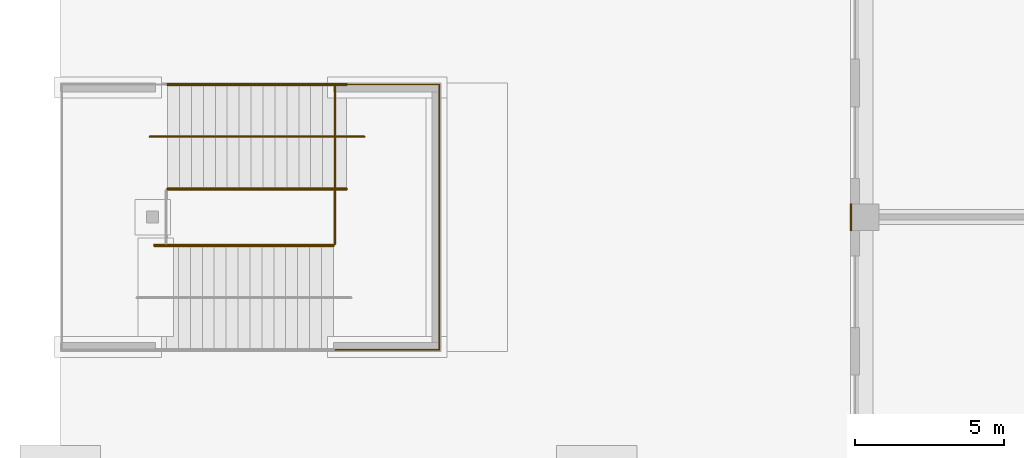
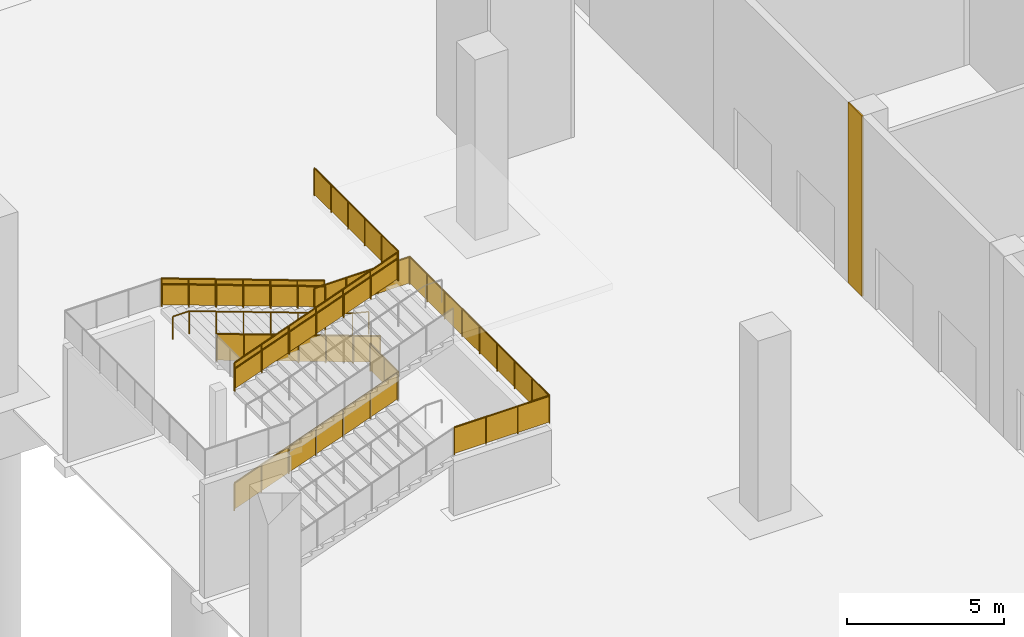
# One storey, part 64 of 92: 11 railings, 1 covering.
"""IFC4 building model written with IfcOpenShell, lengths in metres."""

import ifcopenshell
import ifcopenshell.guid

model = None  # the IFC model being written
_history = None  # IfcOwnerHistory: only IFC2X3 demands one
_inside = {}  # id of a spatial element -> (the spatial element, [elements in it])
_under = {}  # id of a project, library or spatial element -> (it, [spatial elements below it])
_declared = {}  # id of a project -> (the project, [libraries it declares])
_typed = {}  # id of a type object -> (the type object, [elements of that type])
_made_of = {}  # id of a material, layer set ... -> (it, [elements and type objects made of it])


def new_model(schema):
    """Start an empty IFC model of exactly this schema.

    Asked for "IFC4X3", IfcOpenShell would pick the latest addendum, in which some entities
    have other attributes; the version numbers below select the first issue.
    IFC2X3 requires an IfcOwnerHistory on every rooted entity: one is made here for all.
    """
    global model, _history
    if schema == "IFC4X3":
        model = ifcopenshell.file(schema_version=(4, 3, 0, 0))
    else:
        model = ifcopenshell.file(schema=schema)
    _inside.clear()
    _under.clear()
    _declared.clear()
    _typed.clear()
    _made_of.clear()
    _history = None
    if model.schema == "IFC2X3":
        org = make("IfcOrganization", Name="unknown")
        user = make(
            "IfcPersonAndOrganization",
            ThePerson=make("IfcPerson", FamilyName="unknown"),
            TheOrganization=org,
        )
        app = make(
            "IfcApplication",
            ApplicationDeveloper=org,
            Version="unknown",
            ApplicationFullName="unknown",
            ApplicationIdentifier="unknown",
        )
        _history = make(
            "IfcOwnerHistory",
            OwningUser=user,
            OwningApplication=app,
            ChangeAction="ADDED",
            CreationDate=0,
        )
    return model


def make(cls, **values):
    """One entity of the class cls with the attributes given. An attribute that is None is left unset."""
    return model.create_entity(
        cls, **{name: value for name, value in values.items() if value is not None}
    )


def rooted(cls, **values):
    """An entity with a GlobalId (a new one), such as an element, a storey or a relation."""
    return make(cls, GlobalId=ifcopenshell.guid.new(), OwnerHistory=_history, **values)


def si_unit(unit_type, name, prefix=None):
    """IfcSIUnit, for example si_unit("LENGTHUNIT", "METRE", prefix="MILLI")."""
    return make("IfcSIUnit", UnitType=unit_type, Prefix=prefix, Name=name)


def assignment(units):
    """IfcUnitAssignment: the units of a project."""
    return None if units is None else make("IfcUnitAssignment", Units=units)


def point(xyz):
    """IfcCartesianPoint."""
    return None if xyz is None else make("IfcCartesianPoint", Coordinates=xyz)


def direction(xyz):
    """IfcDirection."""
    return None if xyz is None else make("IfcDirection", DirectionRatios=xyz)


def frame(location, z_axis=None, x_axis=None):
    """IfcAxis2Placement3D, a coordinate frame: its origin and axes. An axis left out is left unset."""
    return make(
        "IfcAxis2Placement3D",
        Location=point(location),
        Axis=direction(z_axis),
        RefDirection=direction(x_axis),
    )


def frame_2d(location, x_axis=None):
    """IfcAxis2Placement2D, a coordinate frame in the plane: its origin and x axis."""
    return make(
        "IfcAxis2Placement2D", Location=point(location), RefDirection=direction(x_axis)
    )


def origin():
    """The frame at (0, 0, 0) with its axes left unset."""
    return frame((0.0, 0.0, 0.0))


def origin_2d():
    """The frame at (0, 0) in the plane with its x axis left unset."""
    return frame_2d((0.0, 0.0))


def place(relative_to, where):
    """IfcLocalPlacement: puts the frame where relative to a parent placement (None: the world)."""
    return make(
        "IfcLocalPlacement", PlacementRelTo=relative_to, RelativePlacement=where
    )


def context(
    kind, dimensions, precision=None, world=None, true_north=None, identifier=None
):
    """IfcGeometricRepresentationContext, for example the 3D "Model" context."""
    return make(
        "IfcGeometricRepresentationContext",
        ContextIdentifier=identifier,
        ContextType=kind,
        CoordinateSpaceDimension=dimensions,
        Precision=precision,
        WorldCoordinateSystem=world,
        TrueNorth=true_north,
    )


def subcontext(parent, identifier, kind, view, scale=None):
    """IfcGeometricRepresentationSubContext, for example "Body" below "Model"."""
    return make(
        "IfcGeometricRepresentationSubContext",
        ContextIdentifier=identifier,
        ContextType=kind,
        ParentContext=parent,
        TargetScale=scale,
        TargetView=view,
    )


def project(units=None, contexts=None):
    """IfcProject with its units and contexts."""
    return rooted(
        "IfcProject",
        Name="project",
        RepresentationContexts=contexts,
        UnitsInContext=assignment(units),
    )


def spatial(cls, under=None, at=None, **own):
    """A site, building, storey or space (cls), placed at a placement, below another one or the project."""
    s = rooted(cls, ObjectPlacement=at, **own)
    if under is not None:
        _under.setdefault(under.id(), (under, []))[1].append(s)
    return s


def polyline(points):
    """IfcPolyline through the points."""
    return make("IfcPolyline", Points=[point(p) for p in points])


def profile(cls, at=None, kind="AREA", **sizes):
    """A parametric profile (cls). Its sizes go by their IFC names, for example OverallWidth=200.0."""
    return make(cls, ProfileType=kind, Position=at, **sizes)


def circle(**sizes):
    """IfcCircleProfileDef."""
    return profile("IfcCircleProfileDef", **sizes)


def outline(outer, holes=None, kind="AREA"):
    """IfcArbitraryClosedProfileDef: a profile drawn as a closed curve; with holes, ...WithVoids."""
    if holes is None:
        return make("IfcArbitraryClosedProfileDef", ProfileType=kind, OuterCurve=outer)
    return make(
        "IfcArbitraryProfileDefWithVoids",
        ProfileType=kind,
        OuterCurve=outer,
        InnerCurves=holes,
    )


def extrude(swept, where, along, depth):
    """IfcExtrudedAreaSolid: the profile swept, set in the frame where, extruded along a direction by depth."""
    return make(
        "IfcExtrudedAreaSolid",
        SweptArea=swept,
        Position=where,
        ExtrudedDirection=direction(along),
        Depth=depth,
    )


def shape(context_of_items, identifier, shape_type, items):
    """IfcShapeRepresentation: the items that make up one representation, for example the "Body"."""
    return make(
        "IfcShapeRepresentation",
        ContextOfItems=context_of_items,
        RepresentationIdentifier=identifier,
        RepresentationType=shape_type,
        Items=items,
    )


def material(Name=None, Category=None):
    """IfcMaterial."""
    return make("IfcMaterial", Name=Name, Category=Category)


def layer(
    of_material, thickness, ventilated=None, Name=None, Category=None, Priority=None
):
    """IfcMaterialLayer: one layer of a wall or slab, of a material (None: an air gap)."""
    return make(
        "IfcMaterialLayer",
        Material=of_material,
        LayerThickness=thickness,
        IsVentilated=ventilated,
        Name=Name,
        Category=Category,
        Priority=Priority,
    )


def layer_set(layers, Name=None):
    """IfcMaterialLayerSet."""
    return make("IfcMaterialLayerSet", MaterialLayers=layers, LayerSetName=Name)


def made_of(thing, what):
    """Note that an element or type object is made of a material, layer set ...; save() writes the relation."""
    if what is not None:
        _made_of.setdefault(what.id(), (what, []))[1].append(thing)
    return thing


def type_object(cls, material=None, **own):
    """A type object (cls), such as IfcWallType, which elements share."""
    return made_of(rooted(cls, **own), material)


def element(
    cls,
    number,
    at=None,
    inside=None,
    cuts=None,
    type_object=None,
    material=None,
    context=None,
    identifier="Body",
    shape_type=None,
    held_by="IfcProductDefinitionShape",
    body=None,
    shapes=None,
    **own,
):
    """One element of the class cls, such as IfcWall. Its Tag is "e" and its number.

    at: its placement. inside: the storey or other place that contains it. cuts: it is an
    opening in that element (IfcRelVoidsElement). A single representation is given by context,
    identifier, shape_type and body (its items); several are given by shapes. held_by: the class
    of the entity that holds the representations. save() writes the other relations.
    """
    e = rooted(cls, Tag="e%d" % number, ObjectPlacement=at, **own)
    if body is not None:
        shapes = [shape(context, identifier, shape_type, body)]
    if shapes is not None:
        e.Representation = make(held_by, Representations=shapes)
    if inside is not None:
        _inside.setdefault(inside.id(), (inside, []))[1].append(e)
    if cuts is not None:
        rooted(
            "IfcRelVoidsElement", RelatingBuildingElement=cuts, RelatedOpeningElement=e
        )
    if type_object is not None:
        _typed.setdefault(type_object.id(), (type_object, []))[1].append(e)
    return made_of(e, material)


def aggregate(whole, parts):
    """IfcRelAggregates: a whole, such as a stair, and the parts it consists of."""
    return rooted("IfcRelAggregates", RelatingObject=whole, RelatedObjects=parts)


def save(model, path):
    """Write the relations noted so far, then the file.

    IfcRelAggregates (storeys below a building ...), IfcRelContainedInSpatialStructure (elements
    in a storey), IfcRelDefinesByType, IfcRelAssociatesMaterial and IfcRelDeclares: one each for
    every whole, place, type object, material and project.
    """
    for whole, parts in _under.values():
        aggregate(whole, parts)
    for where, things in _inside.values():
        rooted(
            "IfcRelContainedInSpatialStructure",
            RelatedElements=things,
            RelatingStructure=where,
        )
    for kind, things in _typed.values():
        rooted("IfcRelDefinesByType", RelatedObjects=things, RelatingType=kind)
    for what, things in _made_of.values():
        rooted("IfcRelAssociatesMaterial", RelatedObjects=things, RelatingMaterial=what)
    for by, libraries in _declared.values():
        rooted("IfcRelDeclares", RelatingContext=by, RelatedDefinitions=libraries)
    model.write(path)


model = new_model("IFC4")

# Units and contexts
model_context = context("Model", 3, precision=1e-05, world=origin(), true_north=direction((0.0, 1.0)))
body_context = subcontext(model_context, "Body", "Model", "MODEL_VIEW")
ifc_project = project(units=[si_unit("LENGTHUNIT", "METRE"), si_unit("AREAUNIT", "SQUARE_METRE"), si_unit("VOLUMEUNIT", "CUBIC_METRE"), si_unit("PLANEANGLEUNIT", "RADIAN"), si_unit("MASSUNIT", "GRAM", prefix="KILO")], contexts=[model_context])

# Site, building, storey
site_placement = place(None, origin())
site = spatial("IfcSite", under=ifc_project, at=site_placement, CompositionType="ELEMENT")
building_placement = place(site_placement, origin())
building = spatial("IfcBuilding", under=site, at=building_placement, Name="Silverbay Arena", CompositionType="ELEMENT")
storey_placement = place(building_placement, origin())
storey = spatial("IfcBuildingStorey", under=building, at=storey_placement, Name="L00", CompositionType="ELEMENT", Elevation=0.0)

# Covering
ifc_material_1 = material(Name="Aluminium composite cladding", Category="aluminium")
ifc_layer = layer(ifc_material_1, 0.050048828125)
ifc_layer_set = layer_set([ifc_layer], Name="Aluminium composite cladding")
covering_type = type_object("IfcCoveringType", Name="Column cladding 50", PredefinedType="CLADDING", material=ifc_layer_set)
covering_placement = place(storey_placement, origin())
element("IfcCovering", 1, at=covering_placement, inside=storey, type_object=covering_type, Name="West column cladding L00 37", PredefinedType="CLADDING", context=body_context, shape_type="SweptSolid", body=[
    extrude(outline(polyline([(26.5, 116.550048828125), (26.550048828125, 116.550048828125), (26.550048828125, 117.449951171875), (26.5, 117.449951171875), (26.5, 116.550048828125)])), origin(), (0.0, 0.0, 1.0), 7.0),
])

# Railings
ifc_material_2 = material(Name="Stainless steel", Category="steel")
railing_type_1 = type_object("IfcRailingType", Name="Stair guard 1100", PredefinedType="GUARDRAIL", material=ifc_material_2)
railing_1_placement = place(storey_placement, frame((3.162109375, 116.074951171875, 0.145751953125)))
element("IfcRailing", 2, at=railing_1_placement, inside=storey, type_object=railing_type_1, Name="Deck stair DS2 flight 1 guard right", PredefinedType="GUARDRAIL", context=body_context, shape_type="SweptSolid", body=[
    extrude(circle(Radius=0.02392578125, at=origin_2d()), frame((0.0, 0.0, 1.076171875), z_axis=(0.939507356738, 0.0, 0.342528723811), x_axis=(0.0, 1.0, 0.0)), (0.0, 0.0, 1.0), 6.38623046875),
    extrude(outline(polyline([(-0.008056640625, 0.047119140625), (1.008056640625, 0.41748046875), (1.008056640625, 1.42041015625), (-0.008056640625, 1.050048828125), (-0.008056640625, 0.047119140625)])), frame((0.0, 0.0029296875, 0.0), z_axis=(0.0, -1.0, 0.0), x_axis=(1.0, 0.0, 0.0)), (0.0, 0.0, 1.0), 0.006103515625),
    extrude(outline(polyline([(-0.008056640625, 0.41162109375), (1.008056640625, 0.781982421875), (1.008056640625, 1.78515625), (-0.008056640625, 1.41455078125), (-0.008056640625, 0.41162109375)])), frame((1.0, 0.0029296875, 0.0), z_axis=(0.0, -1.0, 0.0), x_axis=(1.0, 0.0, 0.0)), (0.0, 0.0, 1.0), 0.006103515625),
    extrude(outline(polyline([(-0.008056640625, 0.7763671875), (1.008056640625, 1.146728515625), (1.008056640625, 2.149658203125), (-0.008056640625, 1.779296875), (-0.008056640625, 0.7763671875)])), frame((2.0, 0.0029296875, 0.0), z_axis=(0.0, -1.0, 0.0), x_axis=(1.0, 0.0, 0.0)), (0.0, 0.0, 1.0), 0.006103515625),
    extrude(outline(polyline([(-0.008056640625, 1.140869140625), (1.008056640625, 1.51123046875), (1.008056640625, 2.51416015625), (-0.008056640625, 2.143798828125), (-0.008056640625, 1.140869140625)])), frame((3.0, 0.0029296875, 0.0), z_axis=(0.0, -1.0, 0.0), x_axis=(1.0, 0.0, 0.0)), (0.0, 0.0, 1.0), 0.006103515625),
    extrude(outline(polyline([(-0.008056640625, 1.50537109375), (1.008056640625, 1.875732421875), (1.008056640625, 2.87890625), (-0.008056640625, 2.50830078125), (-0.008056640625, 1.50537109375)])), frame((4.0, 0.0029296875, 0.0), z_axis=(0.0, -1.0, 0.0), x_axis=(1.0, 0.0, 0.0)), (0.0, 0.0, 1.0), 0.006103515625),
    extrude(outline(polyline([(-0.008056640625, 1.8701171875), (1.008056640625, 2.240478515625), (1.008056640625, 3.243408203125), (-0.008056640625, 2.873046875), (-0.008056640625, 1.8701171875)])), frame((5.0, 0.0029296875, 0.0), z_axis=(0.0, -1.0, 0.0), x_axis=(1.0, 0.0, 0.0)), (0.0, 0.0, 1.0), 0.006103515625),
    extrude(circle(Radius=0.02099609375, at=origin_2d()), origin(), (0.0, 0.0, 1.0), 1.052001953125),
    extrude(circle(Radius=0.02099609375, at=origin_2d()), frame((1.0, 0.0, 0.364501953125)), (0.0, 0.0, 1.0), 1.052001953125),
    extrude(circle(Radius=0.02099609375, at=origin_2d()), frame((2.0, 0.0, 0.729248046875)), (0.0, 0.0, 1.0), 1.052001953125),
    extrude(circle(Radius=0.02099609375, at=origin_2d()), frame((3.0, 0.0, 1.09375)), (0.0, 0.0, 1.0), 1.052001953125),
    extrude(circle(Radius=0.02099609375, at=origin_2d()), frame((4.0, 0.0, 1.458251953125)), (0.0, 0.0, 1.0), 1.052001953125),
    extrude(circle(Radius=0.02099609375, at=origin_2d()), frame((5.0, 0.0, 1.822998046875)), (0.0, 0.0, 1.0), 1.052001953125),
    extrude(circle(Radius=0.02099609375, at=origin_2d()), frame((6.0, 0.0, 2.1875)), (0.0, 0.0, 1.0), 1.052001953125),
])
railing_2_placement = place(storey_placement, frame((9.60009765625, 117.925048828125, 2.479248046875)))
element("IfcRailing", 3, at=railing_2_placement, inside=storey, type_object=railing_type_1, Name="Deck stair DS2 flight 2 guard left", PredefinedType="GUARDRAIL", context=body_context, shape_type="SweptSolid", body=[
    extrude(circle(Radius=0.02392578125, at=origin_2d()), frame((0.0, 0.0, 1.076171875), z_axis=(-0.939507356738, 0.0, 0.342528723811), x_axis=(0.0, -1.0, 0.0)), (0.0, 0.0, 1.0), 6.38623046875),
    extrude(outline(polyline([(-0.008056640625, 0.047119140625), (1.008056640625, 0.41748046875), (1.008056640625, 1.42041015625), (-0.008056640625, 1.050048828125), (-0.008056640625, 0.047119140625)])), frame((0.0, -0.0029296875, 0.0), z_axis=(0.0, 1.0, 0.0), x_axis=(-1.0, 0.0, 0.0)), (0.0, 0.0, 1.0), 0.006103515625),
    extrude(outline(polyline([(-0.008056640625, 0.41162109375), (1.008056640625, 0.781982421875), (1.008056640625, 1.78515625), (-0.008056640625, 1.41455078125), (-0.008056640625, 0.41162109375)])), frame((-1.0, -0.0029296875, 0.0), z_axis=(0.0, 1.0, 0.0), x_axis=(-1.0, 0.0, 0.0)), (0.0, 0.0, 1.0), 0.006103515625),
    extrude(outline(polyline([(-0.008056640625, 0.7763671875), (1.008056640625, 1.146728515625), (1.008056640625, 2.149658203125), (-0.008056640625, 1.779296875), (-0.008056640625, 0.7763671875)])), frame((-2.0, -0.0029296875, 0.0), z_axis=(0.0, 1.0, 0.0), x_axis=(-1.0, 0.0, 0.0)), (0.0, 0.0, 1.0), 0.006103515625),
    extrude(outline(polyline([(-0.008056640625, 1.140869140625), (1.008056640625, 1.51123046875), (1.008056640625, 2.51416015625), (-0.008056640625, 2.143798828125), (-0.008056640625, 1.140869140625)])), frame((-3.0, -0.0029296875, 0.0), z_axis=(0.0, 1.0, 0.0), x_axis=(-1.0, 0.0, 0.0)), (0.0, 0.0, 1.0), 0.006103515625),
    extrude(outline(polyline([(-0.008056640625, 1.50537109375), (1.008056640625, 1.875732421875), (1.008056640625, 2.87890625), (-0.008056640625, 2.50830078125), (-0.008056640625, 1.50537109375)])), frame((-4.0, -0.0029296875, 0.0), z_axis=(0.0, 1.0, 0.0), x_axis=(-1.0, 0.0, 0.0)), (0.0, 0.0, 1.0), 0.006103515625),
    extrude(outline(polyline([(-0.008056640625, 1.8701171875), (1.008056640625, 2.240478515625), (1.008056640625, 3.243408203125), (-0.008056640625, 2.873046875), (-0.008056640625, 1.8701171875)])), frame((-5.0, -0.0029296875, 0.0), z_axis=(0.0, 1.0, 0.0), x_axis=(-1.0, 0.0, 0.0)), (0.0, 0.0, 1.0), 0.006103515625),
    extrude(circle(Radius=0.02099609375, at=origin_2d()), origin(), (0.0, 0.0, 1.0), 1.052001953125),
    extrude(circle(Radius=0.02099609375, at=origin_2d()), frame((-1.0, 0.0, 0.364501953125)), (0.0, 0.0, 1.0), 1.052001953125),
    extrude(circle(Radius=0.02099609375, at=origin_2d()), frame((-2.0, 0.0, 0.729248046875)), (0.0, 0.0, 1.0), 1.052001953125),
    extrude(circle(Radius=0.02099609375, at=origin_2d()), frame((-3.0, 0.0, 1.09375)), (0.0, 0.0, 1.0), 1.052001953125),
    extrude(circle(Radius=0.02099609375, at=origin_2d()), frame((-4.0, 0.0, 1.458251953125)), (0.0, 0.0, 1.0), 1.052001953125),
    extrude(circle(Radius=0.02099609375, at=origin_2d()), frame((-5.0, 0.0, 1.822998046875)), (0.0, 0.0, 1.0), 1.052001953125),
    extrude(circle(Radius=0.02099609375, at=origin_2d()), frame((-6.0, 0.0, 2.1875)), (0.0, 0.0, 1.0), 1.052001953125),
])
railing_3_placement = place(storey_placement, frame((9.60009765625, 121.47509765625, 2.479248046875)))
element("IfcRailing", 4, at=railing_3_placement, inside=storey, type_object=railing_type_1, Name="Deck stair DS2 flight 2 guard right", PredefinedType="GUARDRAIL", context=body_context, shape_type="SweptSolid", body=[
    extrude(circle(Radius=0.02392578125, at=origin_2d()), frame((0.0, 0.0, 1.076171875), z_axis=(-0.939507356738, 0.0, 0.342528723811), x_axis=(0.0, -1.0, 0.0)), (0.0, 0.0, 1.0), 6.38623046875),
    extrude(outline(polyline([(-0.008056640625, 0.047119140625), (1.008056640625, 0.41748046875), (1.008056640625, 1.42041015625), (-0.008056640625, 1.050048828125), (-0.008056640625, 0.047119140625)])), frame((0.0, -0.0029296875, 0.0), z_axis=(0.0, 1.0, 0.0), x_axis=(-1.0, 0.0, 0.0)), (0.0, 0.0, 1.0), 0.006103515625),
    extrude(outline(polyline([(-0.008056640625, 0.41162109375), (1.008056640625, 0.781982421875), (1.008056640625, 1.78515625), (-0.008056640625, 1.41455078125), (-0.008056640625, 0.41162109375)])), frame((-1.0, -0.0029296875, 0.0), z_axis=(0.0, 1.0, 0.0), x_axis=(-1.0, 0.0, 0.0)), (0.0, 0.0, 1.0), 0.006103515625),
    extrude(outline(polyline([(-0.008056640625, 0.7763671875), (1.008056640625, 1.146728515625), (1.008056640625, 2.149658203125), (-0.008056640625, 1.779296875), (-0.008056640625, 0.7763671875)])), frame((-2.0, -0.0029296875, 0.0), z_axis=(0.0, 1.0, 0.0), x_axis=(-1.0, 0.0, 0.0)), (0.0, 0.0, 1.0), 0.006103515625),
    extrude(outline(polyline([(-0.008056640625, 1.140869140625), (1.008056640625, 1.51123046875), (1.008056640625, 2.51416015625), (-0.008056640625, 2.143798828125), (-0.008056640625, 1.140869140625)])), frame((-3.0, -0.0029296875, 0.0), z_axis=(0.0, 1.0, 0.0), x_axis=(-1.0, 0.0, 0.0)), (0.0, 0.0, 1.0), 0.006103515625),
    extrude(outline(polyline([(-0.008056640625, 1.50537109375), (1.008056640625, 1.875732421875), (1.008056640625, 2.87890625), (-0.008056640625, 2.50830078125), (-0.008056640625, 1.50537109375)])), frame((-4.0, -0.0029296875, 0.0), z_axis=(0.0, 1.0, 0.0), x_axis=(-1.0, 0.0, 0.0)), (0.0, 0.0, 1.0), 0.006103515625),
    extrude(outline(polyline([(-0.008056640625, 1.8701171875), (1.008056640625, 2.240478515625), (1.008056640625, 3.243408203125), (-0.008056640625, 2.873046875), (-0.008056640625, 1.8701171875)])), frame((-5.0, -0.0029296875, 0.0), z_axis=(0.0, 1.0, 0.0), x_axis=(-1.0, 0.0, 0.0)), (0.0, 0.0, 1.0), 0.006103515625),
    extrude(circle(Radius=0.02099609375, at=origin_2d()), origin(), (0.0, 0.0, 1.0), 1.052001953125),
    extrude(circle(Radius=0.02099609375, at=origin_2d()), frame((-1.0, 0.0, 0.364501953125)), (0.0, 0.0, 1.0), 1.052001953125),
    extrude(circle(Radius=0.02099609375, at=origin_2d()), frame((-2.0, 0.0, 0.729248046875)), (0.0, 0.0, 1.0), 1.052001953125),
    extrude(circle(Radius=0.02099609375, at=origin_2d()), frame((-3.0, 0.0, 1.09375)), (0.0, 0.0, 1.0), 1.052001953125),
    extrude(circle(Radius=0.02099609375, at=origin_2d()), frame((-4.0, 0.0, 1.458251953125)), (0.0, 0.0, 1.0), 1.052001953125),
    extrude(circle(Radius=0.02099609375, at=origin_2d()), frame((-5.0, 0.0, 1.822998046875)), (0.0, 0.0, 1.0), 1.052001953125),
    extrude(circle(Radius=0.02099609375, at=origin_2d()), frame((-6.0, 0.0, 2.1875)), (0.0, 0.0, 1.0), 1.052001953125),
])
railing_4_placement = place(storey_placement, frame((3.162109375, 116.074951171875, 4.8125)))
element("IfcRailing", 5, at=railing_4_placement, inside=storey, type_object=railing_type_1, Name="Deck stair DS2 flight 3 guard right", PredefinedType="GUARDRAIL", context=body_context, shape_type="SweptSolid", body=[
    extrude(circle(Radius=0.02392578125, at=origin_2d()), frame((0.0, 0.0, 1.076171875), z_axis=(0.939507356738, 0.0, 0.342528723811), x_axis=(0.0, 1.0, 0.0)), (0.0, 0.0, 1.0), 6.38623046875),
    extrude(outline(polyline([(-0.008056640625, 0.047119140625), (1.008056640625, 0.41748046875), (1.008056640625, 1.42041015625), (-0.008056640625, 1.050048828125), (-0.008056640625, 0.047119140625)])), frame((0.0, 0.0029296875, 0.0), z_axis=(0.0, -1.0, 0.0), x_axis=(1.0, 0.0, 0.0)), (0.0, 0.0, 1.0), 0.006103515625),
    extrude(outline(polyline([(-0.008056640625, 0.41162109375), (1.008056640625, 0.781982421875), (1.008056640625, 1.78515625), (-0.008056640625, 1.41455078125), (-0.008056640625, 0.41162109375)])), frame((1.0, 0.0029296875, 0.0), z_axis=(0.0, -1.0, 0.0), x_axis=(1.0, 0.0, 0.0)), (0.0, 0.0, 1.0), 0.006103515625),
    extrude(outline(polyline([(-0.008056640625, 0.7763671875), (1.008056640625, 1.146728515625), (1.008056640625, 2.149658203125), (-0.008056640625, 1.779296875), (-0.008056640625, 0.7763671875)])), frame((2.0, 0.0029296875, 0.0), z_axis=(0.0, -1.0, 0.0), x_axis=(1.0, 0.0, 0.0)), (0.0, 0.0, 1.0), 0.006103515625),
    extrude(outline(polyline([(-0.008056640625, 1.140869140625), (1.008056640625, 1.51123046875), (1.008056640625, 2.51416015625), (-0.008056640625, 2.143798828125), (-0.008056640625, 1.140869140625)])), frame((3.0, 0.0029296875, 0.0), z_axis=(0.0, -1.0, 0.0), x_axis=(1.0, 0.0, 0.0)), (0.0, 0.0, 1.0), 0.006103515625),
    extrude(outline(polyline([(-0.008056640625, 1.50537109375), (1.008056640625, 1.875732421875), (1.008056640625, 2.87890625), (-0.008056640625, 2.50830078125), (-0.008056640625, 1.50537109375)])), frame((4.0, 0.0029296875, 0.0), z_axis=(0.0, -1.0, 0.0), x_axis=(1.0, 0.0, 0.0)), (0.0, 0.0, 1.0), 0.006103515625),
    extrude(outline(polyline([(-0.008056640625, 1.8701171875), (1.008056640625, 2.240478515625), (1.008056640625, 3.243408203125), (-0.008056640625, 2.873046875), (-0.008056640625, 1.8701171875)])), frame((5.0, 0.0029296875, 0.0), z_axis=(0.0, -1.0, 0.0), x_axis=(1.0, 0.0, 0.0)), (0.0, 0.0, 1.0), 0.006103515625),
    extrude(circle(Radius=0.02099609375, at=origin_2d()), origin(), (0.0, 0.0, 1.0), 1.052001953125),
    extrude(circle(Radius=0.02099609375, at=origin_2d()), frame((1.0, 0.0, 0.364501953125)), (0.0, 0.0, 1.0), 1.052001953125),
    extrude(circle(Radius=0.02099609375, at=origin_2d()), frame((2.0, 0.0, 0.729248046875)), (0.0, 0.0, 1.0), 1.052001953125),
    extrude(circle(Radius=0.02099609375, at=origin_2d()), frame((3.0, 0.0, 1.09375)), (0.0, 0.0, 1.0), 1.052001953125),
    extrude(circle(Radius=0.02099609375, at=origin_2d()), frame((4.0, 0.0, 1.458251953125)), (0.0, 0.0, 1.0), 1.052001953125),
    extrude(circle(Radius=0.02099609375, at=origin_2d()), frame((5.0, 0.0, 1.822998046875)), (0.0, 0.0, 1.0), 1.052001953125),
    extrude(circle(Radius=0.02099609375, at=origin_2d()), frame((6.0, 0.0, 2.1875)), (0.0, 0.0, 1.0), 1.052001953125),
])
railing_5_placement = place(storey_placement, frame((9.212158203125, 112.550048828125, 2.333251953125)))
element("IfcRailing", 6, at=railing_5_placement, inside=storey, type_object=railing_type_1, Name="Deck stair DS2 landing 1 guard", PredefinedType="GUARDRAIL", context=body_context, shape_type="SweptSolid", body=[
    extrude(circle(Radius=0.02392578125, at=origin_2d()), frame((0.0, 0.0, 1.076171875), z_axis=(1.0, 0.0, 0.0), x_axis=(0.0, 1.0, 0.0)), (0.0, 0.0, 1.0), 3.5),
    extrude(outline(polyline([(-0.008056640625, 0.050048828125), (1.174560546875, 0.050048828125), (1.174560546875, 1.052978515625), (-0.008056640625, 1.052978515625), (-0.008056640625, 0.050048828125)])), frame((0.0, 0.0029296875, 0.0), z_axis=(0.0, -1.0, 0.0), x_axis=(1.0, 0.0, 0.0)), (0.0, 0.0, 1.0), 0.006103515625),
    extrude(outline(polyline([(-0.008056640625, 0.050048828125), (1.174560546875, 0.050048828125), (1.174560546875, 1.052978515625), (-0.008056640625, 1.052978515625), (-0.008056640625, 0.050048828125)])), frame((1.166748046875, 0.0029296875, 0.0), z_axis=(0.0, -1.0, 0.0), x_axis=(1.0, 0.0, 0.0)), (0.0, 0.0, 1.0), 0.006103515625),
    extrude(outline(polyline([(-0.008056640625, 0.050048828125), (1.174560546875, 0.050048828125), (1.174560546875, 1.052978515625), (-0.008056640625, 1.052978515625), (-0.008056640625, 0.050048828125)])), frame((2.333251953125, 0.0029296875, 0.0), z_axis=(0.0, -1.0, 0.0), x_axis=(1.0, 0.0, 0.0)), (0.0, 0.0, 1.0), 0.006103515625),
    extrude(circle(Radius=0.02392578125, at=origin_2d()), frame((3.5, 0.0, 1.076171875), z_axis=(0.0, 1.0, 0.0), x_axis=(-1.0, 0.0, 0.0)), (0.0, 0.0, 1.0), 8.89990234375),
    extrude(outline(polyline([(-0.008056640625, 0.050048828125), (1.12060546875, 0.050048828125), (1.12060546875, 1.052978515625), (-0.008056640625, 1.052978515625), (-0.008056640625, 0.050048828125)])), frame((3.4970703125, 0.0, 0.0), z_axis=(1.0, 0.0, 0.0), x_axis=(0.0, 1.0, 0.0)), (0.0, 0.0, 1.0), 0.006103515625),
    extrude(outline(polyline([(-0.008056640625, 0.050048828125), (1.12060546875, 0.050048828125), (1.12060546875, 1.052978515625), (-0.008056640625, 1.052978515625), (-0.008056640625, 0.050048828125)])), frame((3.4970703125, 1.112548828125, 0.0), z_axis=(1.0, 0.0, 0.0), x_axis=(0.0, 1.0, 0.0)), (0.0, 0.0, 1.0), 0.006103515625),
    extrude(outline(polyline([(-0.008056640625, 0.050048828125), (1.12060546875, 0.050048828125), (1.12060546875, 1.052978515625), (-0.008056640625, 1.052978515625), (-0.008056640625, 0.050048828125)])), frame((3.4970703125, 2.22509765625, 0.0), z_axis=(1.0, 0.0, 0.0), x_axis=(0.0, 1.0, 0.0)), (0.0, 0.0, 1.0), 0.006103515625),
    extrude(outline(polyline([(-0.008056640625, 0.050048828125), (1.12060546875, 0.050048828125), (1.12060546875, 1.052978515625), (-0.008056640625, 1.052978515625), (-0.008056640625, 0.050048828125)])), frame((3.4970703125, 3.33740234375, 0.0), z_axis=(1.0, 0.0, 0.0), x_axis=(0.0, 1.0, 0.0)), (0.0, 0.0, 1.0), 0.006103515625),
    extrude(outline(polyline([(-0.008056640625, 0.050048828125), (1.12060546875, 0.050048828125), (1.12060546875, 1.052978515625), (-0.008056640625, 1.052978515625), (-0.008056640625, 0.050048828125)])), frame((3.4970703125, 4.449951171875, 0.0), z_axis=(1.0, 0.0, 0.0), x_axis=(0.0, 1.0, 0.0)), (0.0, 0.0, 1.0), 0.006103515625),
    extrude(outline(polyline([(-0.008056640625, 0.050048828125), (1.12060546875, 0.050048828125), (1.12060546875, 1.052978515625), (-0.008056640625, 1.052978515625), (-0.008056640625, 0.050048828125)])), frame((3.4970703125, 5.5625, 0.0), z_axis=(1.0, 0.0, 0.0), x_axis=(0.0, 1.0, 0.0)), (0.0, 0.0, 1.0), 0.006103515625),
    extrude(outline(polyline([(-0.008056640625, 0.050048828125), (1.12060546875, 0.050048828125), (1.12060546875, 1.052978515625), (-0.008056640625, 1.052978515625), (-0.008056640625, 0.050048828125)])), frame((3.4970703125, 6.6748046875, 0.0), z_axis=(1.0, 0.0, 0.0), x_axis=(0.0, 1.0, 0.0)), (0.0, 0.0, 1.0), 0.006103515625),
    extrude(outline(polyline([(-0.008056640625, 0.050048828125), (1.12060546875, 0.050048828125), (1.12060546875, 1.052978515625), (-0.008056640625, 1.052978515625), (-0.008056640625, 0.050048828125)])), frame((3.4970703125, 7.787353515625, 0.0), z_axis=(1.0, 0.0, 0.0), x_axis=(0.0, 1.0, 0.0)), (0.0, 0.0, 1.0), 0.006103515625),
    extrude(circle(Radius=0.02392578125, at=origin_2d()), frame((3.5, 8.89990234375, 1.076171875), z_axis=(-1.0, 0.0, 0.0), x_axis=(0.0, -1.0, 0.0)), (0.0, 0.0, 1.0), 3.5),
    extrude(outline(polyline([(-0.008056640625, 0.050048828125), (1.174560546875, 0.050048828125), (1.174560546875, 1.052978515625), (-0.008056640625, 1.052978515625), (-0.008056640625, 0.050048828125)])), frame((3.5, 8.89697265625, 0.0), z_axis=(0.0, 1.0, 0.0), x_axis=(-1.0, 0.0, 0.0)), (0.0, 0.0, 1.0), 0.006103515625),
    extrude(outline(polyline([(-0.008056640625, 0.050048828125), (1.174560546875, 0.050048828125), (1.174560546875, 1.052978515625), (-0.008056640625, 1.052978515625), (-0.008056640625, 0.050048828125)])), frame((2.333251953125, 8.89697265625, 0.0), z_axis=(0.0, 1.0, 0.0), x_axis=(-1.0, 0.0, 0.0)), (0.0, 0.0, 1.0), 0.006103515625),
    extrude(outline(polyline([(-0.008056640625, 0.050048828125), (1.174560546875, 0.050048828125), (1.174560546875, 1.052978515625), (-0.008056640625, 1.052978515625), (-0.008056640625, 0.050048828125)])), frame((1.166748046875, 8.89697265625, 0.0), z_axis=(0.0, 1.0, 0.0), x_axis=(-1.0, 0.0, 0.0)), (0.0, 0.0, 1.0), 0.006103515625),
    extrude(circle(Radius=0.02099609375, at=origin_2d()), origin(), (0.0, 0.0, 1.0), 1.052001953125),
    extrude(circle(Radius=0.02099609375, at=origin_2d()), frame((1.166748046875, 0.0, 0.0)), (0.0, 0.0, 1.0), 1.052001953125),
    extrude(circle(Radius=0.02099609375, at=origin_2d()), frame((2.333251953125, 0.0, 0.0)), (0.0, 0.0, 1.0), 1.052001953125),
    extrude(circle(Radius=0.02099609375, at=origin_2d()), frame((3.5, 0.0, 0.0)), (0.0, 0.0, 1.0), 1.052001953125),
    extrude(circle(Radius=0.02099609375, at=origin_2d()), frame((3.5, 1.112548828125, 0.0)), (0.0, 0.0, 1.0), 1.052001953125),
    extrude(circle(Radius=0.02099609375, at=origin_2d()), frame((3.5, 2.22509765625, 0.0)), (0.0, 0.0, 1.0), 1.052001953125),
    extrude(circle(Radius=0.02099609375, at=origin_2d()), frame((3.5, 3.33740234375, 0.0)), (0.0, 0.0, 1.0), 1.052001953125),
    extrude(circle(Radius=0.02099609375, at=origin_2d()), frame((3.5, 4.449951171875, 0.0)), (0.0, 0.0, 1.0), 1.052001953125),
    extrude(circle(Radius=0.02099609375, at=origin_2d()), frame((3.5, 5.5625, 0.0)), (0.0, 0.0, 1.0), 1.052001953125),
    extrude(circle(Radius=0.02099609375, at=origin_2d()), frame((3.5, 6.6748046875, 0.0)), (0.0, 0.0, 1.0), 1.052001953125),
    extrude(circle(Radius=0.02099609375, at=origin_2d()), frame((3.5, 7.787353515625, 0.0)), (0.0, 0.0, 1.0), 1.052001953125),
    extrude(circle(Radius=0.02099609375, at=origin_2d()), frame((3.5, 8.89990234375, 0.0)), (0.0, 0.0, 1.0), 1.052001953125),
    extrude(circle(Radius=0.02099609375, at=origin_2d()), frame((2.333251953125, 8.89990234375, 0.0)), (0.0, 0.0, 1.0), 1.052001953125),
    extrude(circle(Radius=0.02099609375, at=origin_2d()), frame((1.166748046875, 8.89990234375, 0.0)), (0.0, 0.0, 1.0), 1.052001953125),
    extrude(circle(Radius=0.02099609375, at=origin_2d()), frame((0.0, 8.89990234375, 0.0)), (0.0, 0.0, 1.0), 1.052001953125),
])
railing_6_placement = place(storey_placement, frame((9.212158203125, 116.10009765625, 2.333251953125)))
element("IfcRailing", 7, at=railing_6_placement, inside=storey, type_object=railing_type_1, Name="Deck stair DS2 landing 1 guard", PredefinedType="GUARDRAIL", context=body_context, shape_type="SweptSolid", body=[
    extrude(circle(Radius=0.02392578125, at=origin_2d()), frame((0.0, 0.0, 1.076171875), z_axis=(0.0, 1.0, 0.0), x_axis=(-1.0, 0.0, 0.0)), (0.0, 0.0, 1.0), 1.7998046875),
    extrude(outline(polyline([(-0.008056640625, 0.050048828125), (0.907958984375, 0.050048828125), (0.907958984375, 1.052978515625), (-0.008056640625, 1.052978515625), (-0.008056640625, 0.050048828125)])), frame((-0.0029296875, 0.0, 0.0), z_axis=(1.0, 0.0, 0.0), x_axis=(0.0, 1.0, 0.0)), (0.0, 0.0, 1.0), 0.006103515625),
    extrude(outline(polyline([(-0.008056640625, 0.050048828125), (0.907958984375, 0.050048828125), (0.907958984375, 1.052978515625), (-0.008056640625, 1.052978515625), (-0.008056640625, 0.050048828125)])), frame((-0.0029296875, 0.89990234375, 0.0), z_axis=(1.0, 0.0, 0.0), x_axis=(0.0, 1.0, 0.0)), (0.0, 0.0, 1.0), 0.006103515625),
    extrude(circle(Radius=0.02099609375, at=origin_2d()), origin(), (0.0, 0.0, 1.0), 1.052001953125),
    extrude(circle(Radius=0.02099609375, at=origin_2d()), frame((0.0, 0.89990234375, 0.0)), (0.0, 0.0, 1.0), 1.052001953125),
    extrude(circle(Radius=0.02099609375, at=origin_2d()), frame((0.0, 1.7998046875, 0.0)), (0.0, 0.0, 1.0), 1.052001953125),
])
railing_7_placement = place(storey_placement, frame((9.212158203125, 116.10009765625, 7.0)))
element("IfcRailing", 8, at=railing_7_placement, inside=storey, type_object=railing_type_1, Name="Deck stair DS2 landing 3 guard", PredefinedType="GUARDRAIL", context=body_context, shape_type="SweptSolid", body=[
    extrude(circle(Radius=0.02392578125, at=origin_2d()), frame((0.0, 0.0, 1.076171875), z_axis=(0.0, 1.0, 0.0), x_axis=(-1.0, 0.0, 0.0)), (0.0, 0.0, 1.0), 5.349853515625),
    extrude(outline(polyline([(-0.008056640625, 0.050048828125), (1.077880859375, 0.050048828125), (1.077880859375, 1.052978515625), (-0.008056640625, 1.052978515625), (-0.008056640625, 0.050048828125)])), frame((-0.0029296875, 0.0, 0.0), z_axis=(1.0, 0.0, 0.0), x_axis=(0.0, 1.0, 0.0)), (0.0, 0.0, 1.0), 0.006103515625),
    extrude(outline(polyline([(-0.008056640625, 0.050048828125), (1.077880859375, 0.050048828125), (1.077880859375, 1.052978515625), (-0.008056640625, 1.052978515625), (-0.008056640625, 0.050048828125)])), frame((-0.0029296875, 1.070068359375, 0.0), z_axis=(1.0, 0.0, 0.0), x_axis=(0.0, 1.0, 0.0)), (0.0, 0.0, 1.0), 0.006103515625),
    extrude(outline(polyline([(-0.008056640625, 0.050048828125), (1.077880859375, 0.050048828125), (1.077880859375, 1.052978515625), (-0.008056640625, 1.052978515625), (-0.008056640625, 0.050048828125)])), frame((-0.0029296875, 2.139892578125, 0.0), z_axis=(1.0, 0.0, 0.0), x_axis=(0.0, 1.0, 0.0)), (0.0, 0.0, 1.0), 0.006103515625),
    extrude(outline(polyline([(-0.008056640625, 0.050048828125), (1.077880859375, 0.050048828125), (1.077880859375, 1.052978515625), (-0.008056640625, 1.052978515625), (-0.008056640625, 0.050048828125)])), frame((-0.0029296875, 3.2099609375, 0.0), z_axis=(1.0, 0.0, 0.0), x_axis=(0.0, 1.0, 0.0)), (0.0, 0.0, 1.0), 0.006103515625),
    extrude(outline(polyline([(-0.008056640625, 0.050048828125), (1.077880859375, 0.050048828125), (1.077880859375, 1.052978515625), (-0.008056640625, 1.052978515625), (-0.008056640625, 0.050048828125)])), frame((-0.0029296875, 4.27978515625, 0.0), z_axis=(1.0, 0.0, 0.0), x_axis=(0.0, 1.0, 0.0)), (0.0, 0.0, 1.0), 0.006103515625),
    extrude(circle(Radius=0.02099609375, at=origin_2d()), origin(), (0.0, 0.0, 1.0), 1.052001953125),
    extrude(circle(Radius=0.02099609375, at=origin_2d()), frame((0.0, 1.070068359375, 0.0)), (0.0, 0.0, 1.0), 1.052001953125),
    extrude(circle(Radius=0.02099609375, at=origin_2d()), frame((0.0, 2.139892578125, 0.0)), (0.0, 0.0, 1.0), 1.052001953125),
    extrude(circle(Radius=0.02099609375, at=origin_2d()), frame((0.0, 3.2099609375, 0.0)), (0.0, 0.0, 1.0), 1.052001953125),
    extrude(circle(Radius=0.02099609375, at=origin_2d()), frame((0.0, 4.27978515625, 0.0)), (0.0, 0.0, 1.0), 1.052001953125),
    extrude(circle(Radius=0.02099609375, at=origin_2d()), frame((0.0, 5.349853515625, 0.0)), (0.0, 0.0, 1.0), 1.052001953125),
])
ifc_material_3 = material(Name="Stainless steel", Category="steel")
railing_type_2 = type_object("IfcRailingType", Name="Stair handrail 900", PredefinedType="HANDRAIL", material=ifc_material_3)
for number, where, name in (
    (9, (9.60009765625, 117.964111328125, 2.479248046875), "Deck stair DS2 flight 2 handrail left"),
    (10, (9.60009765625, 121.43603515625, 2.479248046875), "Deck stair DS2 flight 2 handrail right"),
):
    element("IfcRailing", number, at=place(storey_placement, frame(where)), inside=storey, type_object=railing_type_2, Name=name, PredefinedType="HANDRAIL", context=body_context, shape_type="SweptSolid", body=[
        extrude(circle(Radius=0.02392578125, at=origin_2d()), frame((0.0, 0.0, 0.8759765625), z_axis=(-0.939507356738, 0.0, 0.342528723811), x_axis=(0.0, -1.0, 0.0)), (0.0, 0.0, 1.0), 6.38623046875),
        extrude(circle(Radius=0.02099609375, at=origin_2d()), origin(), (0.0, 0.0, 1.0), 0.851806640625),
        extrude(circle(Radius=0.02099609375, at=origin_2d()), frame((-1.0, 0.0, 0.364501953125)), (0.0, 0.0, 1.0), 0.851806640625),
        extrude(circle(Radius=0.02099609375, at=origin_2d()), frame((-2.0, 0.0, 0.729248046875)), (0.0, 0.0, 1.0), 0.851806640625),
        extrude(circle(Radius=0.02099609375, at=origin_2d()), frame((-3.0, 0.0, 1.09375)), (0.0, 0.0, 1.0), 0.851806640625),
        extrude(circle(Radius=0.02099609375, at=origin_2d()), frame((-4.0, 0.0, 1.458251953125)), (0.0, 0.0, 1.0), 0.851806640625),
        extrude(circle(Radius=0.02099609375, at=origin_2d()), frame((-5.0, 0.0, 1.822998046875)), (0.0, 0.0, 1.0), 0.851806640625),
        extrude(circle(Radius=0.02099609375, at=origin_2d()), frame((-6.0, 0.0, 2.1875)), (0.0, 0.0, 1.0), 0.851806640625),
    ])
railing_8_placement = place(storey_placement, frame((10.199951171875, 119.699951171875, 2.333251953125)))
element("IfcRailing", 11, at=railing_8_placement, inside=storey, type_object=railing_type_2, Name="Deck stair DS2 flight 2 central handrail", PredefinedType="HANDRAIL", context=body_context, shape_type="SweptSolid", body=[
    extrude(circle(Radius=0.02392578125, at=origin_2d()), frame((0.0, 0.0, 0.8759765625), z_axis=(-0.971635685089, 0.0, 0.236482759334), x_axis=(0.0, -1.0, 0.0)), (0.0, 0.0, 1.0), 0.617431640625),
    extrude(circle(Radius=0.02392578125, at=origin_2d()), frame((-0.599853515625, 0.0, 1.02197265625), z_axis=(-0.939507356738, 0.0, 0.342528723811), x_axis=(0.0, -1.0, 0.0)), (0.0, 0.0, 1.0), 6.38623046875),
    extrude(circle(Radius=0.02392578125, at=origin_2d()), frame((-6.599853515625, 0.0, 3.20947265625), z_axis=(-1.0, 0.0, 0.0), x_axis=(0.0, -1.0, 0.0)), (0.0, 0.0, 1.0), 0.60009765625),
    extrude(circle(Radius=0.02099609375, at=origin_2d()), origin(), (0.0, 0.0, 1.0), 0.851806640625),
    extrude(circle(Radius=0.02099609375, at=origin_2d()), frame((-0.599853515625, 0.0, 0.14599609375)), (0.0, 0.0, 1.0), 0.851806640625),
    extrude(circle(Radius=0.02099609375, at=origin_2d()), frame((-1.599853515625, 0.0, 0.510498046875)), (0.0, 0.0, 1.0), 0.851806640625),
    extrude(circle(Radius=0.02099609375, at=origin_2d()), frame((-2.599853515625, 0.0, 0.875244140625)), (0.0, 0.0, 1.0), 0.851806640625),
    extrude(circle(Radius=0.02099609375, at=origin_2d()), frame((-3.599853515625, 0.0, 1.23974609375)), (0.0, 0.0, 1.0), 0.851806640625),
    extrude(circle(Radius=0.02099609375, at=origin_2d()), frame((-4.599853515625, 0.0, 1.604248046875)), (0.0, 0.0, 1.0), 0.851806640625),
    extrude(circle(Radius=0.02099609375, at=origin_2d()), frame((-5.599853515625, 0.0, 1.968994140625)), (0.0, 0.0, 1.0), 0.851806640625),
    extrude(circle(Radius=0.02099609375, at=origin_2d()), frame((-6.599853515625, 0.0, 2.33349609375)), (0.0, 0.0, 1.0), 0.851806640625),
    extrude(circle(Radius=0.02099609375, at=origin_2d()), frame((-7.199951171875, 0.0, 2.33349609375)), (0.0, 0.0, 1.0), 0.851806640625),
])
railing_9_placement = place(storey_placement, frame((3.162109375, 116.035888671875, 4.8125)))
element("IfcRailing", 12, at=railing_9_placement, inside=storey, type_object=railing_type_2, Name="Deck stair DS2 flight 3 handrail right", PredefinedType="HANDRAIL", context=body_context, shape_type="SweptSolid", body=[
    extrude(circle(Radius=0.02392578125, at=origin_2d()), frame((0.0, 0.0, 0.8759765625), z_axis=(0.939507356738, 0.0, 0.342528723811), x_axis=(0.0, 1.0, 0.0)), (0.0, 0.0, 1.0), 6.38623046875),
    extrude(circle(Radius=0.02099609375, at=origin_2d()), origin(), (0.0, 0.0, 1.0), 0.851806640625),
    extrude(circle(Radius=0.02099609375, at=origin_2d()), frame((1.0, 0.0, 0.364501953125)), (0.0, 0.0, 1.0), 0.851806640625),
    extrude(circle(Radius=0.02099609375, at=origin_2d()), frame((2.0, 0.0, 0.729248046875)), (0.0, 0.0, 1.0), 0.851806640625),
    extrude(circle(Radius=0.02099609375, at=origin_2d()), frame((3.0, 0.0, 1.09375)), (0.0, 0.0, 1.0), 0.851806640625),
    extrude(circle(Radius=0.02099609375, at=origin_2d()), frame((4.0, 0.0, 1.458251953125)), (0.0, 0.0, 1.0), 0.851806640625),
    extrude(circle(Radius=0.02099609375, at=origin_2d()), frame((5.0, 0.0, 1.822998046875)), (0.0, 0.0, 1.0), 0.851806640625),
    extrude(circle(Radius=0.02099609375, at=origin_2d()), frame((6.0, 0.0, 2.1875)), (0.0, 0.0, 1.0), 0.851806640625),
])

save(model, "model.ifc")
